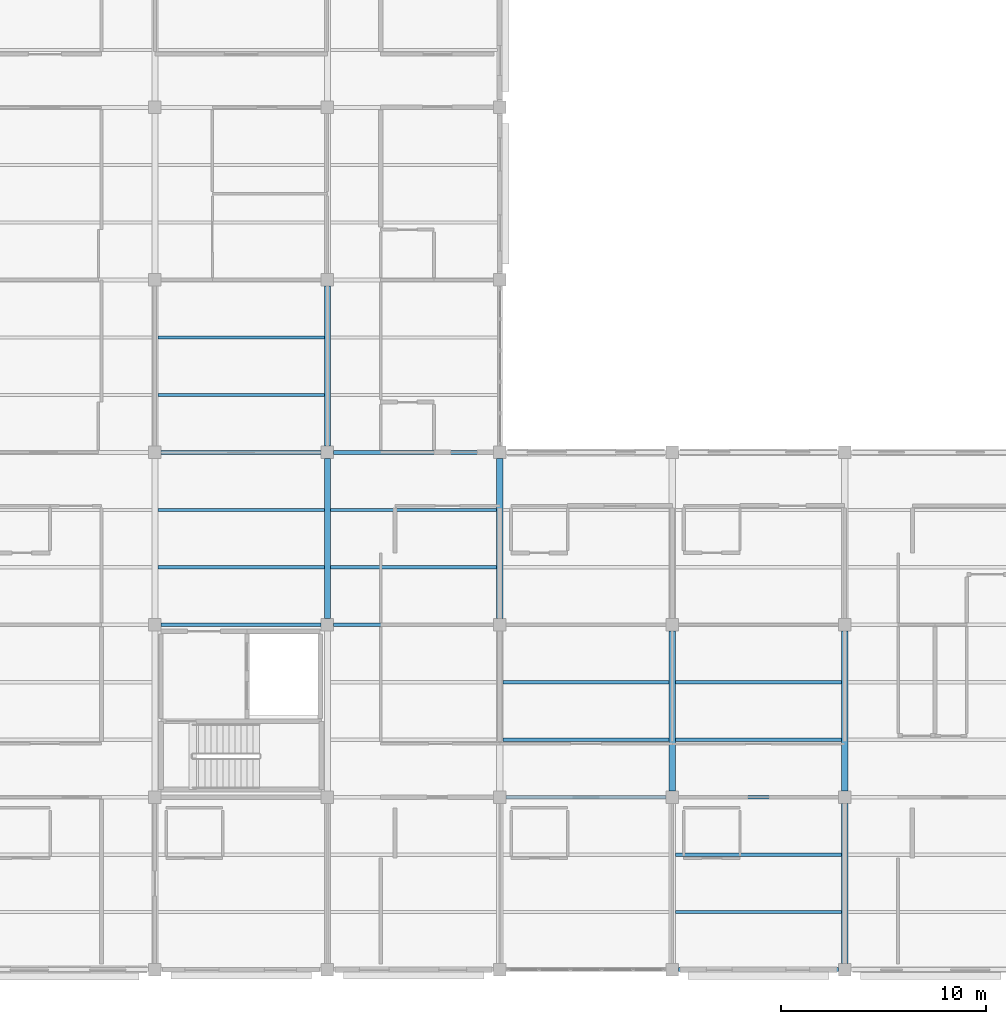
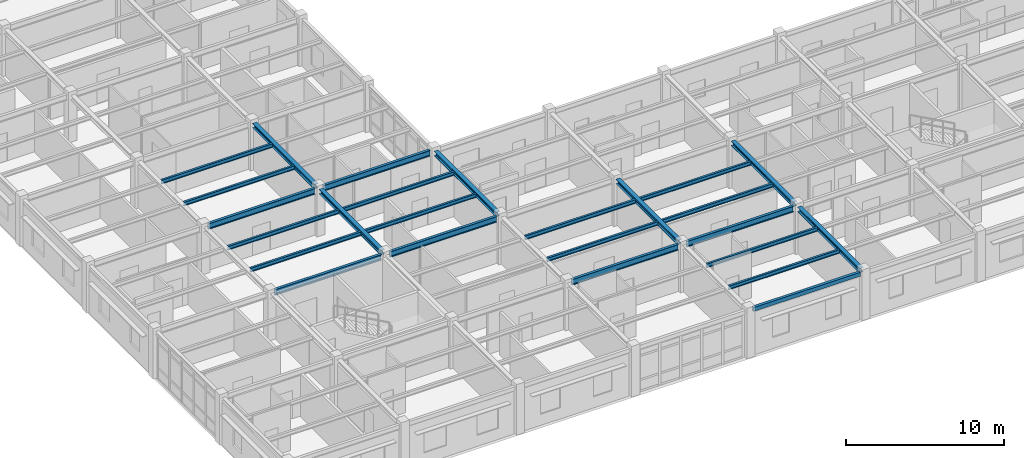
# One storey, part 7 of 86: 25 beams.
"""IFC4 building model written with IfcOpenShell, lengths in metres."""

from ifc_helpers import new_model, si_unit, direction, frame, origin, origin_2d, place, context, subcontext, project, spatial, hollow_rectangle, i_section, extrude, material, material_profile, profile_set, type_object, element, save


model = new_model("IFC4")

# Units and contexts
model_context = context("Model", 3, precision=1e-05, world=origin(), true_north=direction((0.0, 1.0)))
body_context = subcontext(model_context, "Body", "Model", "MODEL_VIEW")
ifc_project = project(units=[si_unit("LENGTHUNIT", "METRE"), si_unit("AREAUNIT", "SQUARE_METRE"), si_unit("VOLUMEUNIT", "CUBIC_METRE"), si_unit("PLANEANGLEUNIT", "RADIAN"), si_unit("MASSUNIT", "GRAM", prefix="KILO")], contexts=[model_context])

# Site, building, storey
site_placement = place(None, origin())
site = spatial("IfcSite", under=ifc_project, at=site_placement, CompositionType="ELEMENT")
building_placement = place(site_placement, origin())
building = spatial("IfcBuilding", under=site, at=building_placement, Name="Bramfleet General Hospital", CompositionType="ELEMENT")
storey_placement = place(building_placement, frame((0.0, 0.0, 18.60009765625)))
storey = spatial("IfcBuildingStorey", under=building, at=storey_placement, Name="L04", CompositionType="ELEMENT", Elevation=18.60009765625)

# Beams
ifc_material = material(Name="Steel S355", Category="steel")
ifc_material_profile_1 = material_profile(ifc_material, i_section(OverallWidth=0.300048828125, OverallDepth=0.35009765625, WebThickness=0.010009765625, FlangeThickness=0.017578125, FilletRadius=0.027099609375, at=origin_2d()), Name="HEA 360")
ifc_profile_set_1 = profile_set([ifc_material_profile_1], Name="Steel S355")
beam_type_1 = type_object("IfcBeamType", Name="BM-HEA360", PredefinedType="BEAM", material=ifc_profile_set_1)
beam_1_placement = place(storey_placement, frame((109.199951171875, 17.10009765625, 3.44482421875), z_axis=(0.0, 1.0, 0.0), x_axis=(-1.0, 0.0, 0.0)))
element("IfcBeam", 1, at=beam_1_placement, inside=storey, type_object=beam_type_1, Name="L04 Grid Beam Y 13-02", PredefinedType="BEAM", context=body_context, shape_type="SweptSolid", body=[
    extrude(i_section(OverallWidth=0.300048828125, OverallDepth=0.35009765625, WebThickness=0.010009765625, FlangeThickness=0.017578125, FilletRadius=0.027099609375, at=origin_2d()), origin(), (0.0, 0.0, 1.0), 7.7998046875),
])
beam_2_placement = place(storey_placement, frame((109.199951171875, 25.5, 3.44482421875), z_axis=(0.0, 1.0, 0.0), x_axis=(-1.0, 0.0, 0.0)))
element("IfcBeam", 2, at=beam_2_placement, inside=storey, type_object=beam_type_1, Name="L04 Grid Beam Y 13-03", PredefinedType="BEAM", context=body_context, shape_type="SweptSolid", body=[
    extrude(i_section(OverallWidth=0.300048828125, OverallDepth=0.35009765625, WebThickness=0.010009765625, FlangeThickness=0.017578125, FilletRadius=0.027099609375, at=origin_2d()), origin(), (0.0, 0.0, 1.0), 7.800048828125),
])
beam_3_placement = place(storey_placement, frame((117.60009765625, 17.10009765625, 3.44482421875), z_axis=(0.0, 1.0, 0.0), x_axis=(-1.0, 0.0, 0.0)))
element("IfcBeam", 3, at=beam_3_placement, inside=storey, type_object=beam_type_1, Name="L04 Grid Beam Y 14-02", PredefinedType="BEAM", context=body_context, shape_type="SweptSolid", body=[
    extrude(i_section(OverallWidth=0.300048828125, OverallDepth=0.35009765625, WebThickness=0.010009765625, FlangeThickness=0.017578125, FilletRadius=0.027099609375, at=origin_2d()), origin(), (0.0, 0.0, 1.0), 7.7998046875),
])
for number, where, z_axis, x_axis, name in (
    (4, (126.0, 8.699951171875, 3.44482421875), (0.0, 1.0, 0.0), (-1.0, 0.0, 0.0), "L04 Grid Beam Y 15-01"),
    (5, (134.39990234375, 0.300048828125, 3.44482421875), (0.0, 1.0, 0.0), (-1.0, 0.0, 0.0), "L04 Grid Beam Y 16-00"),
    (6, (134.39990234375, 8.699951171875, 3.44482421875), (0.0, 1.0, 0.0), (-1.0, 0.0, 0.0), "L04 Grid Beam Y 16-01"),
):
    element("IfcBeam", number, at=place(storey_placement, frame(where, z_axis=z_axis, x_axis=x_axis)), inside=storey, type_object=beam_type_1, Name=name, PredefinedType="BEAM", context=body_context, shape_type="SweptSolid", body=[
        extrude(i_section(OverallWidth=0.300048828125, OverallDepth=0.35009765625, WebThickness=0.010009765625, FlangeThickness=0.017578125, FilletRadius=0.027099609375, at=origin_2d()), origin(), (0.0, 0.0, 1.0), 7.800048828125),
    ])
ifc_material_profile_2 = material_profile(ifc_material, i_section(OverallWidth=0.14990234375, OverallDepth=0.300048828125, WebThickness=0.007080078125, FlangeThickness=0.0107421875, FilletRadius=0.014892578125, at=origin_2d()), Name="IPE 300")
ifc_profile_set_2 = profile_set([ifc_material_profile_2], Name="Steel S355")
beam_type_2 = type_object("IfcBeamType", Name="BM-IPE300", PredefinedType="JOIST", material=ifc_profile_set_2)
for number, where, z_axis, x_axis, name in (
    (7, (100.949951171875, 19.60009765625, 3.469970703125), (1.0, 0.0, 0.0), (0.0, 1.0, 0.0), "L04 Secondary Joist 12-02-1"),
    (8, (100.949951171875, 22.39990234375, 3.469970703125), (1.0, 0.0, 0.0), (0.0, 1.0, 0.0), "L04 Secondary Joist 12-02-2"),
    (9, (100.949951171875, 28.0, 3.469970703125), (1.0, 0.0, 0.0), (0.0, 1.0, 0.0), "L04 Secondary Joist 12-03-1"),
    (10, (100.949951171875, 30.800048828125, 3.469970703125), (1.0, 0.0, 0.0), (0.0, 1.0, 0.0), "L04 Secondary Joist 12-03-2"),
):
    element("IfcBeam", number, at=place(storey_placement, frame(where, z_axis=z_axis, x_axis=x_axis)), inside=storey, type_object=beam_type_2, Name=name, PredefinedType="JOIST", context=body_context, shape_type="SweptSolid", body=[
        extrude(i_section(OverallWidth=0.14990234375, OverallDepth=0.300048828125, WebThickness=0.007080078125, FlangeThickness=0.0107421875, FilletRadius=0.014892578125, at=origin_2d()), origin(), (0.0, 0.0, 1.0), 8.10009765625),
    ])
for number, where, z_axis, x_axis, name in (
    (11, (109.35009765625, 19.60009765625, 3.469970703125), (1.0, 0.0, 0.0), (0.0, 1.0, 0.0), "L04 Secondary Joist 13-02-1"),
    (12, (109.35009765625, 22.39990234375, 3.469970703125), (1.0, 0.0, 0.0), (0.0, 1.0, 0.0), "L04 Secondary Joist 13-02-2"),
):
    element("IfcBeam", number, at=place(storey_placement, frame(where, z_axis=z_axis, x_axis=x_axis)), inside=storey, type_object=beam_type_2, Name=name, PredefinedType="JOIST", context=body_context, shape_type="SweptSolid", body=[
        extrude(i_section(OverallWidth=0.14990234375, OverallDepth=0.300048828125, WebThickness=0.007080078125, FlangeThickness=0.0107421875, FilletRadius=0.014892578125, at=origin_2d()), origin(), (0.0, 0.0, 1.0), 8.099853515625),
    ])
for number, where, z_axis, x_axis, name in (
    (13, (117.75, 11.199951171875, 3.469970703125), (1.0, 0.0, 0.0), (0.0, 1.0, 0.0), "L04 Secondary Joist 14-01-1"),
    (14, (117.75, 14.0, 3.469970703125), (1.0, 0.0, 0.0), (0.0, 1.0, 0.0), "L04 Secondary Joist 14-01-2"),
    (15, (126.14990234375, 2.800048828125, 3.469970703125), (1.0, 0.0, 0.0), (0.0, 1.0, 0.0), "L04 Secondary Joist 15-00-1"),
    (16, (126.14990234375, 5.60009765625, 3.469970703125), (1.0, 0.0, 0.0), (0.0, 1.0, 0.0), "L04 Secondary Joist 15-00-2"),
    (17, (126.14990234375, 11.199951171875, 3.469970703125), (1.0, 0.0, 0.0), (0.0, 1.0, 0.0), "L04 Secondary Joist 15-01-1"),
    (18, (126.14990234375, 14.0, 3.469970703125), (1.0, 0.0, 0.0), (0.0, 1.0, 0.0), "L04 Secondary Joist 15-01-2"),
):
    element("IfcBeam", number, at=place(storey_placement, frame(where, z_axis=z_axis, x_axis=x_axis)), inside=storey, type_object=beam_type_2, Name=name, PredefinedType="JOIST", context=body_context, shape_type="SweptSolid", body=[
        extrude(i_section(OverallWidth=0.14990234375, OverallDepth=0.300048828125, WebThickness=0.007080078125, FlangeThickness=0.0107421875, FilletRadius=0.014892578125, at=origin_2d()), origin(), (0.0, 0.0, 1.0), 8.10009765625),
    ])
ifc_material_profile_3 = material_profile(ifc_material, i_section(OverallWidth=0.18994140625, OverallDepth=0.449951171875, WebThickness=0.009521484375, FlangeThickness=0.0146484375, FilletRadius=0.02099609375, at=origin_2d()), Name="IPE 450")
ifc_profile_set_3 = profile_set([ifc_material_profile_3], Name="Steel S355")
beam_type_3 = type_object("IfcBeamType", Name="BM-IPE450", PredefinedType="BEAM", material=ifc_profile_set_3)
for number, where, z_axis, x_axis, name in (
    (19, (101.10009765625, 16.800048828125, 3.39501953125), (1.0, 0.0, 0.0), (0.0, 1.0, 0.0), "L04 Grid Beam X 12-02"),
    (20, (101.10009765625, 25.199951171875, 3.39501953125), (1.0, 0.0, 0.0), (0.0, 1.0, 0.0), "L04 Grid Beam X 12-03"),
):
    element("IfcBeam", number, at=place(storey_placement, frame(where, z_axis=z_axis, x_axis=x_axis)), inside=storey, type_object=beam_type_3, Name=name, PredefinedType="BEAM", context=body_context, shape_type="SweptSolid", body=[
        extrude(i_section(OverallWidth=0.18994140625, OverallDepth=0.449951171875, WebThickness=0.009521484375, FlangeThickness=0.0146484375, FilletRadius=0.02099609375, at=origin_2d()), origin(), (0.0, 0.0, 1.0), 7.7998046875),
    ])
for number, where, z_axis, x_axis, name in (
    (21, (109.5, 16.800048828125, 3.39501953125), (1.0, 0.0, 0.0), (0.0, 1.0, 0.0), "L04 Grid Beam X 13-02"),
    (22, (109.5, 25.199951171875, 3.39501953125), (1.0, 0.0, 0.0), (0.0, 1.0, 0.0), "L04 Grid Beam X 13-03"),
    (23, (117.89990234375, 8.39990234375, 3.39501953125), (1.0, 0.0, 0.0), (0.0, 1.0, 0.0), "L04 Grid Beam X 14-01"),
    (24, (126.300048828125, 8.39990234375, 3.39501953125), (1.0, 0.0, 0.0), (0.0, 1.0, 0.0), "L04 Grid Beam X 15-01"),
):
    element("IfcBeam", number, at=place(storey_placement, frame(where, z_axis=z_axis, x_axis=x_axis)), inside=storey, type_object=beam_type_3, Name=name, PredefinedType="BEAM", context=body_context, shape_type="SweptSolid", body=[
        extrude(i_section(OverallWidth=0.18994140625, OverallDepth=0.449951171875, WebThickness=0.009521484375, FlangeThickness=0.0146484375, FilletRadius=0.02099609375, at=origin_2d()), origin(), (0.0, 0.0, 1.0), 7.800048828125),
    ])
ifc_material_profile_4 = material_profile(ifc_material, hollow_rectangle(XDim=0.199951171875, YDim=0.300048828125, WallThickness=0.012451171875, at=origin_2d()), Name="RHS 300x200x12.5")
ifc_profile_set_4 = profile_set([ifc_material_profile_4], Name="Steel S355")
beam_type_4 = type_object("IfcBeamType", Name="BM-RHS300", PredefinedType="SPANDREL", material=ifc_profile_set_4)
beam_4_placement = place(storey_placement, frame((126.300048828125, 0.0, 3.469970703125), z_axis=(1.0, 0.0, 0.0), x_axis=(0.0, 1.0, 0.0)))
element("IfcBeam", 25, at=beam_4_placement, inside=storey, type_object=beam_type_4, Name="L04 Grid Beam X 15-00", PredefinedType="SPANDREL", context=body_context, shape_type="SweptSolid", body=[
    extrude(hollow_rectangle(XDim=0.199951171875, YDim=0.300048828125, WallThickness=0.012451171875, at=origin_2d()), origin(), (0.0, 0.0, 1.0), 7.800048828125),
])

save(model, "model.ifc")
